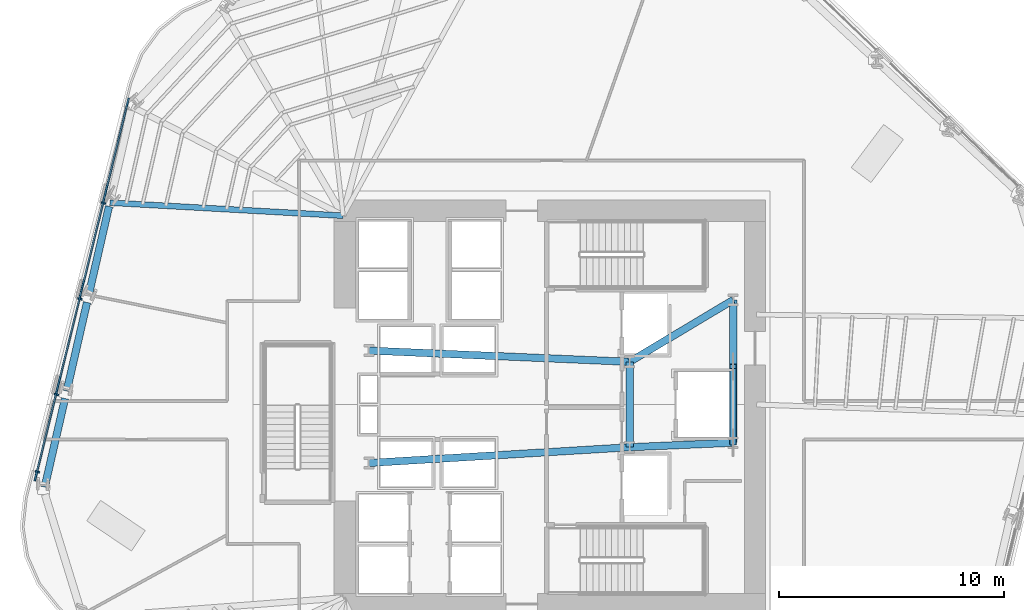
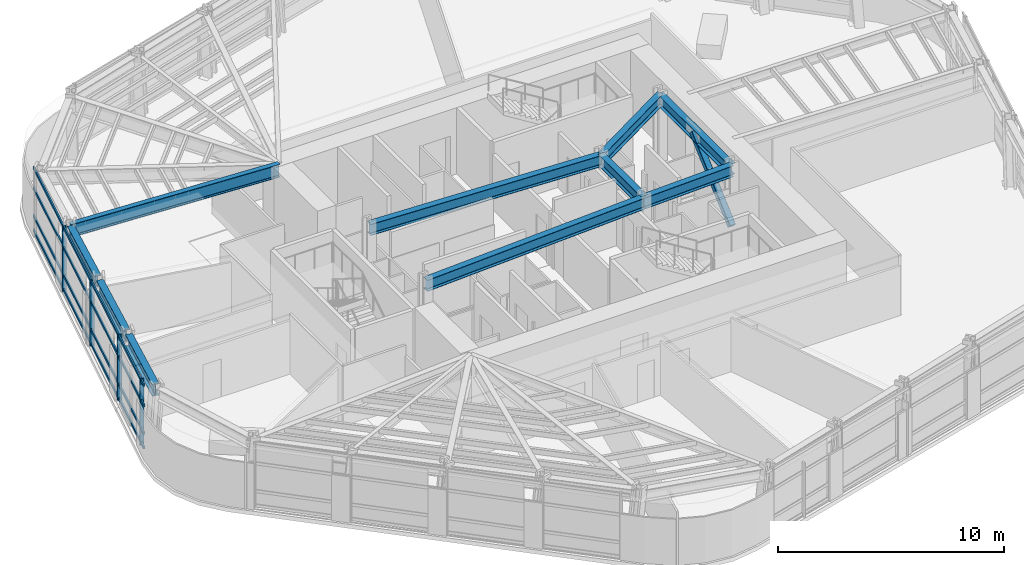
# One storey, part 3 of 15: 10 beams, 9 members, 1 element without a shape of its own.
"""IFC4 building model written with IfcOpenShell, lengths in metres."""

from ifc_helpers import new_model, si_unit, direction, frame, origin, origin_2d, place, context, subcontext, project, spatial, rectangle, hollow_rectangle, i_section, extrude, material, layer, layer_set, material_profile, profile_set, type_object, element, aggregate, save


model = new_model("IFC4")

# Units and contexts
model_context = context("Model", 3, precision=1e-05, world=origin(), true_north=direction((0.0, 1.0)))
body_context = subcontext(model_context, "Body", "Model", "MODEL_VIEW")
ifc_project = project(units=[si_unit("LENGTHUNIT", "METRE"), si_unit("AREAUNIT", "SQUARE_METRE"), si_unit("VOLUMEUNIT", "CUBIC_METRE"), si_unit("PLANEANGLEUNIT", "RADIAN"), si_unit("MASSUNIT", "GRAM", prefix="KILO")], contexts=[model_context])

# Site, building, storey
site_placement = place(None, origin())
site = spatial("IfcSite", under=ifc_project, at=site_placement, CompositionType="ELEMENT")
building_placement = place(site_placement, origin())
building = spatial("IfcBuilding", under=site, at=building_placement, Name="Valkerne Bourse Tower", CompositionType="ELEMENT")
storey_placement = place(building_placement, frame((0.0, 0.0, 93.39990234375)))
storey = spatial("IfcBuildingStorey", under=building, at=storey_placement, Name="L23", CompositionType="ELEMENT", Elevation=93.39990234375)

# Beams
ifc_material_1 = material(Name="Steel ASTM A992", Category="steel")
ifc_material_profile_1 = material_profile(ifc_material_1, i_section(OverallWidth=0.3251953125, OverallDepth=0.612060546875, WebThickness=0.0126953125, FlangeThickness=0.01904296875, FilletRadius=0.020263671875, at=origin_2d()), Name="W24X104")
ifc_profile_set_1 = profile_set([ifc_material_profile_1], Name="Steel ASTM A992")
beam_type_1 = type_object("IfcBeamType", Name="BM-W24X104", PredefinedType="BEAM", material=ifc_profile_set_1)
beam_1_placement = place(storey_placement, frame((50.35009765625, 25.10009765625, 3.274169921875), z_axis=(0.0, 1.0, 0.0), x_axis=(-1.0, 0.0, 0.0)))
element("IfcBeam", 1, at=beam_1_placement, inside=storey, type_object=beam_type_1, Name="L23 Core Frame Girder CG-CE", PredefinedType="BEAM", context=body_context, shape_type="SweptSolid", body=[
    extrude(i_section(OverallWidth=0.3251953125, OverallDepth=0.612060546875, WebThickness=0.0126953125, FlangeThickness=0.01904296875, FilletRadius=0.020263671875, at=origin_2d()), origin(), (0.0, 0.0, 1.0), 3.7998046875),
])
beam_2_placement = place(storey_placement, frame((50.35009765625, 25.10009765625, 3.274169921875), z_axis=(0.999056558506, 0.043428019819, 0.0), x_axis=(-0.043428019819, 0.999056558506, 0.0)))
element("IfcBeam", 2, at=beam_2_placement, inside=storey, type_object=beam_type_1, Name="L23 Core Frame Girder CG-SE", PredefinedType="BEAM", context=body_context, shape_type="SweptSolid", body=[
    extrude(i_section(OverallWidth=0.3251953125, OverallDepth=0.612060546875, WebThickness=0.0126953125, FlangeThickness=0.01904296875, FilletRadius=0.020263671875, at=origin_2d()), origin(), (0.0, 0.0, 1.0), 4.604248046875),
])
beam_3_placement = place(storey_placement, frame((50.35009765625, 28.89990234375, 3.274169921875), z_axis=(0.858307823492, 0.513135148019, 0.0), x_axis=(-0.513135148019, 0.858307823492, 0.0)))
element("IfcBeam", 3, at=beam_3_placement, inside=storey, type_object=beam_type_1, Name="L23 Core Frame Girder CG-NE", PredefinedType="BEAM", context=body_context, shape_type="SweptSolid", body=[
    extrude(i_section(OverallWidth=0.3251953125, OverallDepth=0.612060546875, WebThickness=0.0126953125, FlangeThickness=0.01904296875, FilletRadius=0.020263671875, at=origin_2d()), origin(), (0.0, 0.0, 1.0), 5.359130859375),
])
beam_4_placement = place(storey_placement, frame((54.949951171875, 25.300048828125, 3.274169921875), z_axis=(0.0, 1.0, 0.0), x_axis=(-1.0, 0.0, 0.0)))
element("IfcBeam", 4, at=beam_4_placement, inside=storey, type_object=beam_type_1, Name="L23 Core Frame Girder CG-EE", PredefinedType="BEAM", context=body_context, shape_type="SweptSolid", body=[
    extrude(i_section(OverallWidth=0.3251953125, OverallDepth=0.612060546875, WebThickness=0.0126953125, FlangeThickness=0.01904296875, FilletRadius=0.020263671875, at=origin_2d()), origin(), (0.0, 0.0, 1.0), 6.349853515625),
])
beam_5_placement = place(storey_placement, frame((38.75, 24.39990234375, 3.274169921875), z_axis=(0.998183228389, 0.060251494276, 0.0), x_axis=(-0.060251494276, 0.998183228389, 0.0)))
element("IfcBeam", 5, at=beam_5_placement, inside=storey, type_object=beam_type_1, Name="L23 Core Frame Girder CG-SW", PredefinedType="BEAM", context=body_context, shape_type="SweptSolid", body=[
    extrude(i_section(OverallWidth=0.3251953125, OverallDepth=0.612060546875, WebThickness=0.0126953125, FlangeThickness=0.01904296875, FilletRadius=0.020263671875, at=origin_2d()), origin(), (0.0, 0.0, 1.0), 11.62109375),
])
beam_6_placement = place(storey_placement, frame((38.75, 29.39990234375, 3.274169921875), z_axis=(0.999072354402, -0.043063101019, 0.0), x_axis=(0.043063101019, 0.999072354402, 0.0)))
element("IfcBeam", 6, at=beam_6_placement, inside=storey, type_object=beam_type_1, Name="L23 Core Frame Girder CG-NW", PredefinedType="BEAM", context=body_context, shape_type="SweptSolid", body=[
    extrude(i_section(OverallWidth=0.3251953125, OverallDepth=0.612060546875, WebThickness=0.0126953125, FlangeThickness=0.01904296875, FilletRadius=0.020263671875, at=origin_2d()), origin(), (0.0, 0.0, 1.0), 11.61083984375),
])
ifc_material_profile_2 = material_profile(ifc_material_1, i_section(OverallWidth=0.330078125, OverallDepth=0.647705078125, WebThickness=0.0205078125, FlangeThickness=0.037109375, FilletRadius=0.020263671875, at=origin_2d()), Name="W24X192")
ifc_profile_set_2 = profile_set([ifc_material_profile_2], Name="Steel ASTM A992")
beam_type_2 = type_object("IfcBeamType", Name="BM-W24X192", PredefinedType="SPANDREL", material=ifc_profile_set_2)
beam_7_placement = place(storey_placement, frame((27.18505859375, 35.814453125, 3.25634765625), z_axis=(-0.22324945453, -0.97476134569, 0.0), x_axis=(0.97476134569, -0.22324945453, 0.0)))
element("IfcBeam", 7, at=beam_7_placement, inside=storey, type_object=beam_type_2, Name="L23 Hexagonal Spandrel Ring Beam 11", PredefinedType="SPANDREL", context=body_context, shape_type="SweptSolid", body=[
    extrude(i_section(OverallWidth=0.330078125, OverallDepth=0.647705078125, WebThickness=0.0205078125, FlangeThickness=0.037109375, FilletRadius=0.020263671875, at=origin_2d()), origin(), (0.0, 0.0, 1.0), 4.04296875),
])
beam_8_placement = place(storey_placement, frame((26.20654296875, 31.5419921875, 3.25634765625), z_axis=(-0.223262596321, -0.974758335735, 0.0), x_axis=(0.974758335735, -0.223262596321, 0.0)))
element("IfcBeam", 8, at=beam_8_placement, inside=storey, type_object=beam_type_2, Name="L23 Hexagonal Spandrel Ring Beam 12", PredefinedType="SPANDREL", context=body_context, shape_type="SweptSolid", body=[
    extrude(i_section(OverallWidth=0.330078125, OverallDepth=0.647705078125, WebThickness=0.0205078125, FlangeThickness=0.037109375, FilletRadius=0.020263671875, at=origin_2d()), origin(), (0.0, 0.0, 1.0), 4.042724609375),
])
beam_9_placement = place(storey_placement, frame((25.22802734375, 27.269775390625, 3.25634765625), z_axis=(-0.22324945453, -0.97476134569, 0.0), x_axis=(0.97476134569, -0.22324945453, 0.0)))
element("IfcBeam", 9, at=beam_9_placement, inside=storey, type_object=beam_type_2, Name="L23 Hexagonal Spandrel Ring Beam 13", PredefinedType="SPANDREL", context=body_context, shape_type="SweptSolid", body=[
    extrude(i_section(OverallWidth=0.330078125, OverallDepth=0.647705078125, WebThickness=0.0205078125, FlangeThickness=0.037109375, FilletRadius=0.020263671875, at=origin_2d()), origin(), (0.0, 0.0, 1.0), 4.04296875),
])
ifc_material_profile_3 = material_profile(ifc_material_1, i_section(OverallWidth=0.255859375, OverallDepth=0.693359375, WebThickness=0.014404296875, FlangeThickness=0.023681640625, FilletRadius=0.02294921875, at=origin_2d()), Name="W27X114")
ifc_profile_set_3 = profile_set([ifc_material_profile_3], Name="Steel ASTM A992")
beam_type_3 = type_object("IfcBeamType", Name="BM-W27X114", PredefinedType="BEAM", material=ifc_profile_set_3)
beam_10_placement = place(storey_placement, frame((27.222900390625, 35.980224609375, 3.2333984375), z_axis=(0.998439976514, -0.055835591676, 0.0), x_axis=(0.055835591676, 0.998439976514, 0.0)))
element("IfcBeam", 10, at=beam_10_placement, inside=storey, type_object=beam_type_3, Name="L23 Radial Composite Floor Beam 11", PredefinedType="BEAM", context=body_context, shape_type="SweptSolid", body=[
    extrude(i_section(OverallWidth=0.255859375, OverallDepth=0.693359375, WebThickness=0.014404296875, FlangeThickness=0.023681640625, FilletRadius=0.02294921875, at=origin_2d()), origin(), (0.0, 0.0, 1.0), 10.393310546875),
])

# Curtain wall, members
ifc_material_2 = material(Name="Aluminium AA 6063-T6", Category="aluminium")
ifc_layer = layer(ifc_material_2, 0.22998046875)
ifc_layer_set = layer_set([ifc_layer], Name="Aluminium AA 6063-T6")
curtain_wall_type = type_object("IfcCurtainWallType", Name="CW-02", PredefinedType="NOTDEFINED", material=ifc_layer_set)
curtain_wall_placement = place(storey_placement, origin())
curtain_wall = element("IfcCurtainWall", 11, at=curtain_wall_placement, inside=storey, type_object=curtain_wall_type, Name="L23 Hexagonal Stick Curtain Wall Face 3", PredefinedType="NOTDEFINED")
ifc_material_profile_4 = material_profile(ifc_material_2, rectangle(XDim=0.074951171875, YDim=0.199951171875, at=origin_2d()), Name="CWM-75X200")
ifc_profile_set_4 = profile_set([ifc_material_profile_4], Name="Aluminium AA 6063-T6")
member_type_1 = type_object("IfcMemberType", Name="CW-MUL-220X75", PredefinedType="MULLION", material=ifc_profile_set_4)
member_1_placement = place(storey_placement, frame((26.93603515625, 35.959716796875, 0.0), z_axis=(0.0, 0.0, 1.0), x_axis=(-0.238534172678, -0.971134104264, 0.0)))
member_1 = element("IfcMember", 12, at=member_1_placement, type_object=member_type_1, Name="CW-L23-F3 Jamb Mullion 01A", PredefinedType="MULLION", context=body_context, shape_type="SweptSolid", body=[
    extrude(rectangle(XDim=0.074951171875, YDim=0.199951171875, at=origin_2d()), origin(), (0.0, 0.0, 1.0), 3.580078125),
])
member_2_placement = place(storey_placement, frame((25.890625, 31.703369140625, 0.0), z_axis=(0.0, 0.0, 1.0), x_axis=(-0.238534172678, -0.971134104264, 0.0)))
member_2 = element("IfcMember", 13, at=member_2_placement, type_object=member_type_1, Name="CW-L23-F3 Jamb Mullion 02A", PredefinedType="MULLION", context=body_context, shape_type="SweptSolid", body=[
    extrude(rectangle(XDim=0.074951171875, YDim=0.199951171875, at=origin_2d()), origin(), (0.0, 0.0, 1.0), 3.580078125),
])
member_3_placement = place(storey_placement, frame((24.84521484375, 27.44677734375, 0.0), z_axis=(0.0, 0.0, 1.0), x_axis=(-0.238539457931, -0.971132806062, 0.0)))
member_3 = element("IfcMember", 14, at=member_3_placement, type_object=member_type_1, Name="CW-L23-F3 Jamb Mullion 03A", PredefinedType="MULLION", context=body_context, shape_type="SweptSolid", body=[
    extrude(rectangle(XDim=0.074951171875, YDim=0.199951171875, at=origin_2d()), origin(), (0.0, 0.0, 1.0), 3.580078125),
])
member_4_placement = place(storey_placement, frame((24.0, 24.006103515625, 0.0), z_axis=(0.0, 0.0, 1.0), x_axis=(-0.238539457931, -0.971132806062, 0.0)))
member_4 = element("IfcMember", 15, at=member_4_placement, type_object=member_type_1, Name="CW-L23-F3 Jamb Mullion 03B", PredefinedType="MULLION", context=body_context, shape_type="SweptSolid", body=[
    extrude(rectangle(XDim=0.074951171875, YDim=0.199951171875, at=origin_2d()), origin(), (0.0, 0.0, 1.0), 3.580078125),
])
ifc_material_profile_5 = material_profile(ifc_material_2, rectangle(XDim=0.074951171875, YDim=0.14990234375, at=origin_2d()), Name="CWT-75X150")
ifc_profile_set_5 = profile_set([ifc_material_profile_5], Name="Aluminium AA 6063-T6")
member_type_2 = type_object("IfcMemberType", Name="CW-TRN-180X65", PredefinedType="USERDEFINED", material=ifc_profile_set_5)
member_5_placement = place(storey_placement, frame((28.0625, 40.62890625, 0.1201171875), z_axis=(-0.238542706947, -0.971132008, 0.0), x_axis=(0.971132008, -0.238542706947, 0.0)))
member_5 = element("IfcMember", 16, at=member_5_placement, type_object=member_type_2, Name="CW-L23-F3 Continuous Face Transom 1", ObjectType="TRANSOM", PredefinedType="USERDEFINED", context=body_context, shape_type="SweptSolid", body=[
    extrude(rectangle(XDim=0.074951171875, YDim=0.14990234375, at=origin_2d()), origin(), (0.0, 0.0, 1.0), 17.531982421875),
])
member_6_placement = place(storey_placement, frame((28.0625, 40.62890625, 0.900146484375), z_axis=(-0.238542706947, -0.971132008, 0.0), x_axis=(0.971132008, -0.238542706947, 0.0)))
member_6 = element("IfcMember", 17, at=member_6_placement, type_object=member_type_2, Name="CW-L23-F3 Continuous Face Transom 2", ObjectType="TRANSOM", PredefinedType="USERDEFINED", context=body_context, shape_type="SweptSolid", body=[
    extrude(rectangle(XDim=0.074951171875, YDim=0.14990234375, at=origin_2d()), origin(), (0.0, 0.0, 1.0), 17.531982421875),
])
member_7_placement = place(storey_placement, frame((28.0625, 40.62890625, 2.400146484375), z_axis=(-0.238542706947, -0.971132008, 0.0), x_axis=(0.971132008, -0.238542706947, 0.0)))
member_7 = element("IfcMember", 18, at=member_7_placement, type_object=member_type_2, Name="CW-L23-F3 Continuous Face Transom 3", ObjectType="TRANSOM", PredefinedType="USERDEFINED", context=body_context, shape_type="SweptSolid", body=[
    extrude(rectangle(XDim=0.074951171875, YDim=0.14990234375, at=origin_2d()), origin(), (0.0, 0.0, 1.0), 17.531982421875),
])
member_8_placement = place(storey_placement, frame((28.0625, 40.62890625, 3.5), z_axis=(-0.238542706947, -0.971132008, 0.0), x_axis=(0.971132008, -0.238542706947, 0.0)))
member_8 = element("IfcMember", 19, at=member_8_placement, type_object=member_type_2, Name="CW-L23-F3 Continuous Face Transom 4", ObjectType="TRANSOM", PredefinedType="USERDEFINED", context=body_context, shape_type="SweptSolid", body=[
    extrude(rectangle(XDim=0.074951171875, YDim=0.14990234375, at=origin_2d()), origin(), (0.0, 0.0, 1.0), 17.531982421875),
])
aggregate(curtain_wall, [member_5, member_6, member_7, member_8, member_1, member_2, member_3, member_4])

# Member
ifc_material_3 = material(Name="Steel ASTM A500 Grade C", Category="steel")
ifc_material_profile_6 = material_profile(ifc_material_3, hollow_rectangle(XDim=0.300048828125, YDim=0.300048828125, WallThickness=0.012451171875, OuterFilletRadius=0.02490234375, at=origin_2d()), Name="HSS300X300X12.5")
ifc_profile_set_6 = profile_set([ifc_material_profile_6], Name="Steel ASTM A500 Grade C")
member_type_3 = type_object("IfcMemberType", Name="MBR-HSS300X300X12.5", PredefinedType="STRUT", material=ifc_profile_set_6)
member_9_placement = place(storey_placement, frame((54.949951171875, 25.300048828125, 0.22021484375), z_axis=(0.0, 0.743941933778, 0.668244266094), x_axis=(-1.0, 0.0, 0.0)))
element("IfcMember", 20, at=member_9_placement, inside=storey, type_object=member_type_3, Name="L23 Core Service Pier Lateral Brace", PredefinedType="STRUT", context=body_context, shape_type="SweptSolid", body=[
    extrude(hollow_rectangle(XDim=0.300048828125, YDim=0.300048828125, WallThickness=0.012451171875, OuterFilletRadius=0.02490234375, at=origin_2d()), origin(), (0.0, 0.0, 1.0), 4.570068359375),
])

save(model, "model.ifc")
